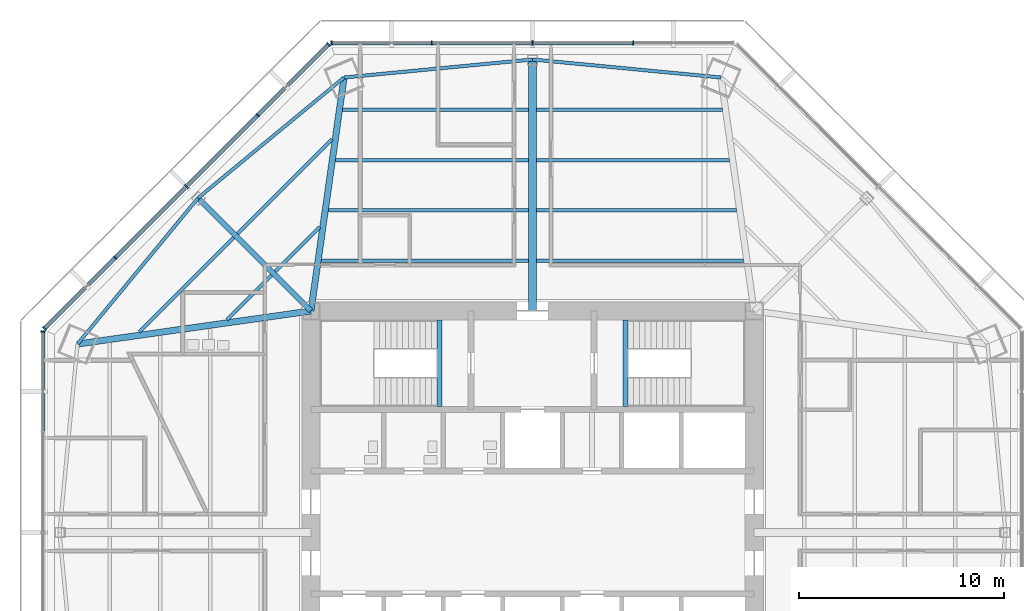
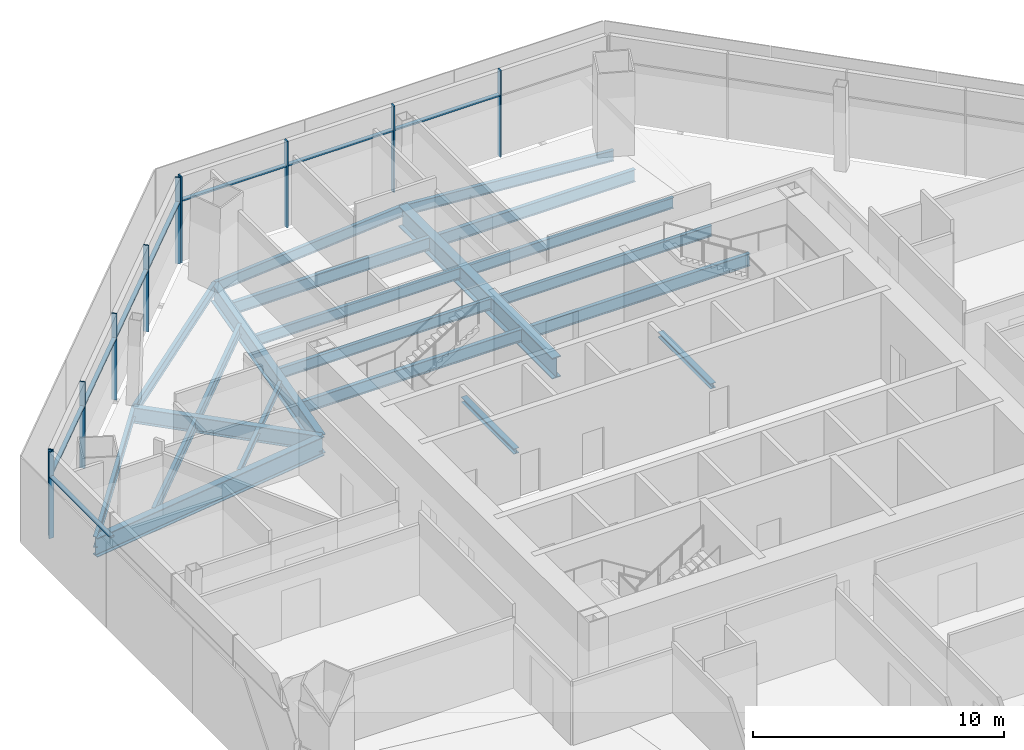
# One storey, part 5 of 14: 22 beams, 18 members, 3 elements without a shape of their own.
"""IFC4 building model written with IfcOpenShell, lengths in metres."""

from ifc_helpers import new_model, si_unit, direction, frame, origin, origin_2d, place, context, subcontext, project, spatial, rectangle, i_section, extrude, source, transform, mapped, material, material_profile, profile_set, type_object, type_shapes, element, aggregate, save


model = new_model("IFC4")

# Units and contexts
model_context = context("Model", 3, precision=1e-05, world=origin(), true_north=direction((0.0, 1.0)))
body_context = subcontext(model_context, "Body", "Model", "MODEL_VIEW")
ifc_project = project(units=[si_unit("LENGTHUNIT", "METRE"), si_unit("AREAUNIT", "SQUARE_METRE"), si_unit("VOLUMEUNIT", "CUBIC_METRE"), si_unit("PLANEANGLEUNIT", "RADIAN"), si_unit("MASSUNIT", "GRAM", prefix="KILO")], contexts=[model_context])

# Site, building, storey
site_placement = place(None, origin())
site = spatial("IfcSite", under=ifc_project, at=site_placement, CompositionType="ELEMENT")
building_placement = place(site_placement, origin())
building = spatial("IfcBuilding", under=site, at=building_placement, Name="Mashrafa Tower", CompositionType="ELEMENT")
storey_placement = place(building_placement, frame((0.0, 0.0, 147.0)))
storey = spatial("IfcBuildingStorey", under=building, at=storey_placement, Name="L33", CompositionType="ELEMENT", Elevation=147.0)

# Beams
ifc_material_1 = material(Name="Steel ASTM A992", Category="steel")
ifc_material_profile_1 = material_profile(ifc_material_1, i_section(OverallWidth=0.164794921875, OverallDepth=0.309814453125, WebThickness=0.005859375, FlangeThickness=0.009765625, FilletRadius=0.007568359375, at=origin_2d()), Name="W12X26")
ifc_profile_set_1 = profile_set([ifc_material_profile_1], Name="Steel ASTM A992")
beam_type_1 = type_object("IfcBeamType", Name="Beam W12X26", PredefinedType="BEAM", material=ifc_profile_set_1)
for number, where, z_axis, x_axis, name in (
    (1, (-14.895751953125, 10.375244140625, -0.31982421875), (0.707106781187, 0.707106781187, 0.0), (-0.707106781187, 0.707106781187, 0.0), "Floor beam L33 008"),
    (2, (-12.541259765625, 12.729736328125, -0.31982421875), (0.707106781187, 0.707106781187, 0.0), (-0.707106781187, 0.707106781187, 0.0), "Floor beam L33 014"),
):
    element("IfcBeam", number, at=place(storey_placement, frame(where, z_axis=z_axis, x_axis=x_axis)), inside=storey, type_object=beam_type_1, Name=name, PredefinedType="BEAM", context=body_context, shape_type="SweptSolid", body=[
        extrude(i_section(OverallWidth=0.164794921875, OverallDepth=0.309814453125, WebThickness=0.005859375, FlangeThickness=0.009765625, FilletRadius=0.007568359375, at=origin_2d()), origin(), (0.0, 0.0, 1.0), 3.063232421875),
    ])
ifc_material_2 = material(Name="Steel ASTM A992", Category="steel")
ifc_material_profile_2 = material_profile(ifc_material_2, i_section(OverallWidth=0.1650390625, OverallDepth=0.52587890625, WebThickness=0.0087890625, FlangeThickness=0.011474609375, FilletRadius=0.0126953125, at=origin_2d()), Name="W21X44")
ifc_profile_set_2 = profile_set([ifc_material_profile_2], Name="Steel ASTM A992")
beam_type_2 = type_object("IfcBeamType", Name="Beam W21X44", PredefinedType="BEAM", material=ifc_profile_set_2)
for number, where, z_axis, x_axis, name in (
    (3, (-19.17236328125, 9.769775390625, -0.427978515625), (0.707106781187, 0.707106781187, 0.0), (-0.707106781187, 0.707106781187, 0.0), "Floor beam L33 003"),
    (4, (-14.376708984375, 14.5654296875, -0.427978515625), (0.707106781187, 0.707106781187, 0.0), (-0.707106781187, 0.707106781187, 0.0), "Floor beam L33 010"),
):
    element("IfcBeam", number, at=place(storey_placement, frame(where, z_axis=z_axis, x_axis=x_axis)), inside=storey, type_object=beam_type_2, Name=name, PredefinedType="BEAM", context=body_context, shape_type="SweptSolid", body=[
        extrude(i_section(OverallWidth=0.1650390625, OverallDepth=0.52587890625, WebThickness=0.0087890625, FlangeThickness=0.011474609375, FilletRadius=0.0126953125, at=origin_2d()), origin(), (0.0, 0.0, 1.0), 6.51513671875),
    ])
beam_1_placement = place(storey_placement, frame((-9.950439453125, 15.704345703125, -0.427978515625), z_axis=(1.0, 0.0, 0.0), x_axis=(0.0, 1.0, 0.0)))
element("IfcBeam", 5, at=beam_1_placement, inside=storey, type_object=beam_type_2, Name="Floor beam L33 017", PredefinedType="BEAM", context=body_context, shape_type="SweptSolid", body=[
    extrude(i_section(OverallWidth=0.1650390625, OverallDepth=0.52587890625, WebThickness=0.0087890625, FlangeThickness=0.011474609375, FilletRadius=0.0126953125, at=origin_2d()), origin(), (0.0, 0.0, 1.0), 9.749755859375),
])
beam_2_placement = place(storey_placement, frame((-9.603271484375, 18.156494140625, -0.427978515625), z_axis=(1.0, 0.0, 0.0), x_axis=(0.0, 1.0, 0.0)))
element("IfcBeam", 6, at=beam_2_placement, inside=storey, type_object=beam_type_2, Name="Floor beam L33 018", PredefinedType="BEAM", context=body_context, shape_type="SweptSolid", body=[
    extrude(i_section(OverallWidth=0.1650390625, OverallDepth=0.52587890625, WebThickness=0.0087890625, FlangeThickness=0.011474609375, FilletRadius=0.0126953125, at=origin_2d()), origin(), (0.0, 0.0, 1.0), 9.402587890625),
])
beam_3_placement = place(storey_placement, frame((0.20068359375, 15.704345703125, -0.427978515625), z_axis=(1.0, 0.0, 0.0), x_axis=(0.0, 1.0, 0.0)))
element("IfcBeam", 7, at=beam_3_placement, inside=storey, type_object=beam_type_2, Name="Floor beam L33 026", PredefinedType="BEAM", context=body_context, shape_type="SweptSolid", body=[
    extrude(i_section(OverallWidth=0.1650390625, OverallDepth=0.52587890625, WebThickness=0.0087890625, FlangeThickness=0.011474609375, FilletRadius=0.0126953125, at=origin_2d()), origin(), (0.0, 0.0, 1.0), 9.749755859375),
])
beam_4_placement = place(storey_placement, frame((0.20068359375, 18.156494140625, -0.427978515625), z_axis=(1.0, 0.0, 0.0), x_axis=(0.0, 1.0, 0.0)))
element("IfcBeam", 8, at=beam_4_placement, inside=storey, type_object=beam_type_2, Name="Floor beam L33 027", PredefinedType="BEAM", context=body_context, shape_type="SweptSolid", body=[
    extrude(i_section(OverallWidth=0.1650390625, OverallDepth=0.52587890625, WebThickness=0.0087890625, FlangeThickness=0.011474609375, FilletRadius=0.0126953125, at=origin_2d()), origin(), (0.0, 0.0, 1.0), 9.402587890625),
])
for number, where, z_axis, x_axis, name in (
    (9, (-16.306640625, 16.306640625, -0.427978515625), (-0.636623717633, -0.771174586036, 0.0), (0.771174586036, -0.636623717633, 0.0), "Spandrel beam L33 069"),
    (10, (-9.1884765625, 22.182861328125, -0.427978515625), (-0.771174586036, -0.636623717633, 0.0), (0.636623717633, -0.771174586036, 0.0), "Spandrel beam L33 071"),
    (11, (0.0, 23.06103515625, -0.427978515625), (-0.995463915657, -0.095139858237, 0.0), (0.095139858237, -0.995463915657, 0.0), "Spandrel beam L33 073"),
    (12, (9.1884765625, 22.182861328125, -0.427978515625), (-0.995463915657, 0.095139858237, 0.0), (-0.095139858237, -0.995463915657, 0.0), "Spandrel beam L33 075"),
):
    element("IfcBeam", number, at=place(storey_placement, frame(where, z_axis=z_axis, x_axis=x_axis)), inside=storey, type_object=beam_type_2, Name=name, PredefinedType="BEAM", context=body_context, shape_type="SweptSolid", body=[
        extrude(i_section(OverallWidth=0.1650390625, OverallDepth=0.52587890625, WebThickness=0.0087890625, FlangeThickness=0.011474609375, FilletRadius=0.0126953125, at=origin_2d()), origin(), (0.0, 0.0, 1.0), 9.230224609375),
    ])
ifc_material_3 = material(Name="Steel ASTM A992", Category="steel")
ifc_material_profile_3 = material_profile(ifc_material_3, i_section(OverallWidth=0.177978515625, OverallDepth=0.599365234375, WebThickness=0.010009765625, FlangeThickness=0.012939453125, FilletRadius=0.012939453125, at=origin_2d()), Name="W24X55")
ifc_profile_set_3 = profile_set([ifc_material_profile_3], Name="Steel ASTM A992")
beam_type_3 = type_object("IfcBeamType", Name="Beam W24X55", PredefinedType="BEAM", material=ifc_profile_set_3)
beam_5_placement = place(storey_placement, frame((-10.297607421875, 13.252197265625, -0.464599609375), z_axis=(1.0, 0.0, 0.0), x_axis=(0.0, 1.0, 0.0)))
element("IfcBeam", 13, at=beam_5_placement, inside=storey, type_object=beam_type_3, Name="Floor beam L33 015", PredefinedType="BEAM", context=body_context, shape_type="SweptSolid", body=[
    extrude(i_section(OverallWidth=0.177978515625, OverallDepth=0.599365234375, WebThickness=0.010009765625, FlangeThickness=0.012939453125, FilletRadius=0.012939453125, at=origin_2d()), origin(), (0.0, 0.0, 1.0), 10.096923828125),
])
beam_6_placement = place(storey_placement, frame((-9.256103515625, 20.60888671875, -0.464599609375), z_axis=(1.0, 0.0, 0.0), x_axis=(0.0, 1.0, 0.0)))
element("IfcBeam", 14, at=beam_6_placement, inside=storey, type_object=beam_type_3, Name="Floor beam L33 020", PredefinedType="BEAM", context=body_context, shape_type="SweptSolid", body=[
    extrude(i_section(OverallWidth=0.177978515625, OverallDepth=0.599365234375, WebThickness=0.010009765625, FlangeThickness=0.012939453125, FilletRadius=0.012939453125, at=origin_2d()), origin(), (0.0, 0.0, 1.0), 9.055419921875),
])
beam_7_placement = place(storey_placement, frame((0.20068359375, 13.252197265625, -0.464599609375), z_axis=(1.0, 0.0, 0.0), x_axis=(0.0, 1.0, 0.0)))
element("IfcBeam", 15, at=beam_7_placement, inside=storey, type_object=beam_type_3, Name="Floor beam L33 025", PredefinedType="BEAM", context=body_context, shape_type="SweptSolid", body=[
    extrude(i_section(OverallWidth=0.177978515625, OverallDepth=0.599365234375, WebThickness=0.010009765625, FlangeThickness=0.012939453125, FilletRadius=0.012939453125, at=origin_2d()), origin(), (0.0, 0.0, 1.0), 10.096923828125),
])
beam_8_placement = place(storey_placement, frame((0.20068359375, 20.60888671875, -0.464599609375), z_axis=(1.0, 0.0, 0.0), x_axis=(0.0, 1.0, 0.0)))
element("IfcBeam", 16, at=beam_8_placement, inside=storey, type_object=beam_type_3, Name="Floor beam L33 028", PredefinedType="BEAM", context=body_context, shape_type="SweptSolid", body=[
    extrude(i_section(OverallWidth=0.177978515625, OverallDepth=0.599365234375, WebThickness=0.010009765625, FlangeThickness=0.012939453125, FilletRadius=0.012939453125, at=origin_2d()), origin(), (0.0, 0.0, 1.0), 9.055419921875),
])
ifc_material_4 = material(Name="Steel ASTM A992", Category="steel")
ifc_material_profile_4 = material_profile(ifc_material_4, i_section(OverallWidth=0.2666015625, OverallDepth=0.761962890625, WebThickness=0.014404296875, FlangeThickness=0.021484375, FilletRadius=0.0166015625, at=origin_2d()), Name="W30X116")
ifc_profile_set_4 = profile_set([ifc_material_profile_4], Name="Steel ASTM A992")
beam_type_4 = type_object("IfcBeamType", Name="Beam W30X116", PredefinedType="BEAM", material=ifc_profile_set_4)
beam_9_placement = place(storey_placement, frame((-10.800048828125, 10.800048828125, -0.5458984375), z_axis=(-0.707106781187, 0.707106781187, 0.0), x_axis=(-0.707106781187, -0.707106781187, 0.0)))
element("IfcBeam", 17, at=beam_9_placement, inside=storey, type_object=beam_type_4, Name="Radial girder L33 054", PredefinedType="BEAM", context=body_context, shape_type="SweptSolid", body=[
    extrude(i_section(OverallWidth=0.2666015625, OverallDepth=0.761962890625, WebThickness=0.014404296875, FlangeThickness=0.021484375, FilletRadius=0.0166015625, at=origin_2d()), origin(), (0.0, 0.0, 1.0), 7.78759765625),
])
ifc_material_5 = material(Name="Steel ASTM A992", Category="steel")
ifc_material_profile_5 = material_profile(ifc_material_5, i_section(OverallWidth=0.307373046875, OverallDepth=0.927001953125, WebThickness=0.01953125, FlangeThickness=0.031982421875, FilletRadius=0.01904296875, at=origin_2d()), Name="W36X194")
ifc_profile_set_5 = profile_set([ifc_material_profile_5], Name="Steel ASTM A992")
beam_type_5 = type_object("IfcBeamType", Name="Beam W36X194", PredefinedType="BEAM", material=ifc_profile_set_5)
for number, where, z_axis, x_axis, name in (
    (18, (-10.800048828125, 10.800048828125, -0.628662109375), (-0.990125828891, -0.140181464407, 0.0), (0.140181464407, -0.990125828891, 0.0), "Radial girder L33 053"),
    (19, (-10.800048828125, 10.800048828125, -0.628662109375), (0.140181464407, 0.990125828891, 0.0), (-0.990125828891, 0.140181464407, 0.0), "Radial girder L33 055"),
):
    element("IfcBeam", number, at=place(storey_placement, frame(where, z_axis=z_axis, x_axis=x_axis)), inside=storey, type_object=beam_type_5, Name=name, PredefinedType="BEAM", context=body_context, shape_type="SweptSolid", body=[
        extrude(i_section(OverallWidth=0.307373046875, OverallDepth=0.927001953125, WebThickness=0.01953125, FlangeThickness=0.031982421875, FilletRadius=0.01904296875, at=origin_2d()), origin(), (0.0, 0.0, 1.0), 11.496337890625),
    ])
ifc_material_6 = material(Name="Steel ASTM A992", Category="steel")
ifc_material_profile_6 = material_profile(ifc_material_6, i_section(OverallWidth=0.4013671875, OverallDepth=1.010986328125, WebThickness=0.023681640625, FlangeThickness=0.0419921875, FilletRadius=0.02001953125, at=origin_2d()), Name="W40X297")
ifc_profile_set_6 = profile_set([ifc_material_profile_6], Name="Steel ASTM A992")
beam_type_6 = type_object("IfcBeamType", Name="Beam W40X297", PredefinedType="BEAM", material=ifc_profile_set_6)
beam_10_placement = place(storey_placement, frame((0.0, 10.800048828125, -0.67041015625), z_axis=(0.0, 1.0, 0.0), x_axis=(-1.0, 0.0, 0.0)))
element("IfcBeam", 20, at=beam_10_placement, inside=storey, type_object=beam_type_6, Name="Radial girder L33 057", PredefinedType="BEAM", context=body_context, shape_type="SweptSolid", body=[
    extrude(i_section(OverallWidth=0.4013671875, OverallDepth=1.010986328125, WebThickness=0.023681640625, FlangeThickness=0.0419921875, FilletRadius=0.02001953125, at=origin_2d()), origin(), (0.0, 0.0, 1.0), 12.260986328125),
])
ifc_material_7 = material(Name="Steel ASTM A992", Category="steel")
ifc_material_profile_7 = material_profile(ifc_material_7, i_section(OverallWidth=0.25390625, OverallDepth=0.25390625, WebThickness=0.008544921875, FlangeThickness=0.01416015625, FilletRadius=0.010009765625, at=origin_2d()), Name="W10X49")
ifc_profile_set_7 = profile_set([ifc_material_profile_7], Name="Steel ASTM A992")
beam_type_7 = type_object("IfcBeamType", Name="Hoistway beam W10X49", PredefinedType="BEAM", material=ifc_profile_set_7)
for number, where, z_axis, x_axis, name in (
    (21, (-4.530029296875, 6.14990234375, -0.326904296875), (0.0, 1.0, 0.0), (-1.0, 0.0, 0.0), "Stair S1 landing beam L33"),
    (22, (4.530029296875, 6.14990234375, -0.326904296875), (0.0, 1.0, 0.0), (-1.0, 0.0, 0.0), "Stair S2 landing beam L33"),
):
    element("IfcBeam", number, at=place(storey_placement, frame(where, z_axis=z_axis, x_axis=x_axis)), inside=storey, type_object=beam_type_7, Name=name, PredefinedType="BEAM", context=body_context, shape_type="SweptSolid", body=[
        extrude(i_section(OverallWidth=0.25390625, OverallDepth=0.25390625, WebThickness=0.008544921875, FlangeThickness=0.01416015625, FilletRadius=0.010009765625, at=origin_2d()), origin(), (0.0, 0.0, 1.0), 4.2001953125),
    ])

# Curtain wall, members
ifc_material_8 = material(Name="Unitised aluminium curtain wall", Category="aluminium")
curtain_wall_type = type_object("IfcCurtainWallType", Name="Office curtain wall, zone 2 CW-B 225 deep", PredefinedType="NOTDEFINED", material=ifc_material_8)
curtain_wall_1_placement = place(storey_placement, origin())
curtain_wall_1 = element("IfcCurtainWall", 23, at=curtain_wall_1_placement, inside=storey, type_object=curtain_wall_type, Name="Office curtain wall, zone 2 L33 north", PredefinedType="NOTDEFINED")
ifc_material_9 = material(Name="Extruded aluminium mullion", Category="aluminium")
ifc_material_profile_8 = material_profile(ifc_material_9, rectangle(XDim=0.22509765625, YDim=0.06494140625, at=origin_2d()), Name="Mullion 65x225")
ifc_profile_set_8 = profile_set([ifc_material_profile_8], Name="Extruded aluminium mullion")
member_type_1 = type_object("IfcMemberType", Name="Mullion CW-B 65 x 225", PredefinedType="MULLION", material=ifc_profile_set_8)
shared_shape_1 = source(origin(), body_context, "Body", "SweptSolid", [
    extrude(rectangle(XDim=0.22509765625, YDim=0.06494140625, at=origin_2d()), origin(), (0.0, 0.0, 1.0), 4.199951171875),
])
type_shapes(member_type_1, [shared_shape_1])
member_1_placement = place(storey_placement, frame((4.91259765625, 23.856201171875, 0.0), z_axis=(0.0, 0.0, 1.0), x_axis=(0.0, -1.0, 0.0)))
member_1 = element("IfcMember", 24, at=member_1_placement, type_object=member_type_1, Name="CW-B mullion 2", PredefinedType="MULLION", context=body_context, shape_type="MappedRepresentation", body=[
    mapped(shared_shape_1, transform((0.0, 0.0, 0.0))),
])
member_2_placement = place(storey_placement, frame((0.0, 23.856201171875, 0.0), z_axis=(0.0, 0.0, 1.0), x_axis=(0.0, -1.0, 0.0)))
member_2 = element("IfcMember", 25, at=member_2_placement, type_object=member_type_1, Name="CW-B mullion 3", PredefinedType="MULLION", context=body_context, shape_type="MappedRepresentation", body=[
    mapped(shared_shape_1, transform((0.0, 0.0, 0.0))),
])
member_3_placement = place(storey_placement, frame((-4.91259765625, 23.856201171875, 0.0), z_axis=(0.0, 0.0, 1.0), x_axis=(0.0, -1.0, 0.0)))
member_3 = element("IfcMember", 26, at=member_3_placement, type_object=member_type_1, Name="CW-B mullion 4", PredefinedType="MULLION", context=body_context, shape_type="MappedRepresentation", body=[
    mapped(shared_shape_1, transform((0.0, 0.0, 0.0))),
])
member_4_placement = place(storey_placement, frame((-9.79248046875, 23.856201171875, 0.0), z_axis=(0.0, 0.0, 1.0), x_axis=(0.0, -1.0, 0.0)))
member_4 = element("IfcMember", 27, at=member_4_placement, type_object=member_type_1, Name="CW-B mullion 5", PredefinedType="MULLION", context=body_context, shape_type="MappedRepresentation", body=[
    mapped(shared_shape_1, transform((0.0, 0.0, 0.0))),
])

curtain_wall_2_placement = place(storey_placement, origin())
curtain_wall_2 = element("IfcCurtainWall", 28, at=curtain_wall_2_placement, inside=storey, type_object=curtain_wall_type, Name="Office curtain wall, zone 2 L33 north-west", PredefinedType="NOTDEFINED")
member_5_placement = place(storey_placement, frame((-9.944580078125, 23.793212890625, 0.0), z_axis=(0.0, 0.0, 1.0), x_axis=(0.707106781187, -0.707106781187, 0.0)))
member_5 = element("IfcMember", 29, at=member_5_placement, type_object=member_type_1, Name="CW-B mullion 1", PredefinedType="MULLION", context=body_context, shape_type="MappedRepresentation", body=[
    mapped(shared_shape_1, transform((0.0, 0.0, 0.0))),
])
member_6_placement = place(storey_placement, frame((-13.395263671875, 20.342529296875, 0.0), z_axis=(0.0, 0.0, 1.0), x_axis=(0.707106781187, -0.707106781187, 0.0)))
member_6 = element("IfcMember", 30, at=member_6_placement, type_object=member_type_1, Name="CW-B mullion 2", PredefinedType="MULLION", context=body_context, shape_type="MappedRepresentation", body=[
    mapped(shared_shape_1, transform((0.0, 0.0, 0.0))),
])
member_7_placement = place(storey_placement, frame((-16.868896484375, 16.868896484375, 0.0), z_axis=(0.0, 0.0, 1.0), x_axis=(0.707106781187, -0.707106781187, 0.0)))
member_7 = element("IfcMember", 31, at=member_7_placement, type_object=member_type_1, Name="CW-B mullion 3", PredefinedType="MULLION", context=body_context, shape_type="MappedRepresentation", body=[
    mapped(shared_shape_1, transform((0.0, 0.0, 0.0))),
])
member_8_placement = place(storey_placement, frame((-20.342529296875, 13.395263671875, 0.0), z_axis=(0.0, 0.0, 1.0), x_axis=(0.707106781187, -0.707106781187, 0.0)))
member_8 = element("IfcMember", 32, at=member_8_placement, type_object=member_type_1, Name="CW-B mullion 4", PredefinedType="MULLION", context=body_context, shape_type="MappedRepresentation", body=[
    mapped(shared_shape_1, transform((0.0, 0.0, 0.0))),
])
member_9_placement = place(storey_placement, frame((-23.793212890625, 9.944580078125, 0.0), z_axis=(0.0, 0.0, 1.0), x_axis=(0.707106781187, -0.707106781187, 0.0)))
member_9 = element("IfcMember", 33, at=member_9_placement, type_object=member_type_1, Name="CW-B mullion 5", PredefinedType="MULLION", context=body_context, shape_type="MappedRepresentation", body=[
    mapped(shared_shape_1, transform((0.0, 0.0, 0.0))),
])

# Curtain wall, member
curtain_wall_3_placement = place(storey_placement, origin())
curtain_wall_3 = element("IfcCurtainWall", 34, at=curtain_wall_3_placement, inside=storey, type_object=curtain_wall_type, Name="Office curtain wall, zone 2 L33 west", PredefinedType="NOTDEFINED")
member_10_placement = place(storey_placement, frame((-23.856201171875, 9.79248046875, 0.0), z_axis=(0.0, 0.0, 1.0), x_axis=(1.0, 0.0, 0.0)))
member_10 = element("IfcMember", 35, at=member_10_placement, type_object=member_type_1, Name="CW-B mullion 1", PredefinedType="MULLION", context=body_context, shape_type="MappedRepresentation", body=[
    mapped(shared_shape_1, transform((0.0, 0.0, 0.0))),
])

# Member
ifc_material_10 = material(Name="Extruded aluminium transom", Category="aluminium")
ifc_material_profile_9 = material_profile(ifc_material_10, rectangle(XDim=0.179931640625, YDim=0.080078125, at=origin_2d()), Name="Transom 80x180")
ifc_profile_set_9 = profile_set([ifc_material_profile_9], Name="Extruded aluminium transom")
member_type_2 = type_object("IfcMemberType", Name="Transom CW-B 80 x 180", PredefinedType="MULLION", material=ifc_profile_set_9)
shared_shape_2 = source(origin(), body_context, "Body", "SweptSolid", [
    extrude(rectangle(XDim=0.179931640625, YDim=0.080078125, at=origin_2d()), origin(), (0.0, 0.0, 1.0), 4.81494140625),
])
member_11_placement = place(storey_placement, frame((-4.945068359375, 23.856201171875, 3.0), z_axis=(-1.0, 0.0, 0.0), x_axis=(0.0, -1.0, 0.0)))
member_11 = element("IfcMember", 36, at=member_11_placement, type_object=member_type_2, Name="CW-B transom 4", PredefinedType="MULLION", context=body_context, shape_type="MappedRepresentation", body=[
    mapped(shared_shape_2, transform((0.0, 0.0, 0.0))),
])

member_12_placement = place(storey_placement, frame((-23.856201171875, 9.760009765625, 3.0), z_axis=(0.0, -1.0, 0.0), x_axis=(1.0, 0.0, 0.0)))
member_12 = element("IfcMember", 37, at=member_12_placement, type_object=member_type_2, Name="CW-B transom 1", PredefinedType="MULLION", context=body_context, shape_type="MappedRepresentation", body=[
    mapped(shared_shape_2, transform((0.0, 0.0, 0.0))),
])

aggregate(curtain_wall_3, [member_10, member_12])

shared_shape_3 = source(origin(), body_context, "Body", "SweptSolid", [
    extrude(rectangle(XDim=0.179931640625, YDim=0.080078125, at=origin_2d()), origin(), (0.0, 0.0, 1.0), 4.847412109375),
])
member_13_placement = place(storey_placement, frame((4.8798828125, 23.856201171875, 3.0), z_axis=(-1.0, 0.0, 0.0), x_axis=(0.0, -1.0, 0.0)))
member_13 = element("IfcMember", 38, at=member_13_placement, type_object=member_type_2, Name="CW-B transom 2", PredefinedType="MULLION", context=body_context, shape_type="MappedRepresentation", body=[
    mapped(shared_shape_3, transform((0.0, 0.0, 0.0))),
])

member_14_placement = place(storey_placement, frame((-0.032470703125, 23.856201171875, 3.0), z_axis=(-1.0, 0.0, 0.0), x_axis=(0.0, -1.0, 0.0)))
member_14 = element("IfcMember", 39, at=member_14_placement, type_object=member_type_2, Name="CW-B transom 3", PredefinedType="MULLION", context=body_context, shape_type="MappedRepresentation", body=[
    mapped(shared_shape_3, transform((0.0, 0.0, 0.0))),
])

aggregate(curtain_wall_1, [member_1, member_2, member_3, member_4, member_13, member_14, member_11])

shared_shape_4 = source(origin(), body_context, "Body", "SweptSolid", [
    extrude(rectangle(XDim=0.179931640625, YDim=0.080078125, at=origin_2d()), origin(), (0.0, 0.0, 1.0), 4.815185546875),
])
member_15_placement = place(storey_placement, frame((-9.967529296875, 23.770263671875, 3.0), z_axis=(-0.707106781187, -0.707106781187, 0.0), x_axis=(0.707106781187, -0.707106781187, 0.0)))
member_15 = element("IfcMember", 40, at=member_15_placement, type_object=member_type_2, Name="CW-B transom 1", PredefinedType="MULLION", context=body_context, shape_type="MappedRepresentation", body=[
    mapped(shared_shape_4, transform((0.0, 0.0, 0.0))),
])

member_16_placement = place(storey_placement, frame((-20.365478515625, 13.372314453125, 3.0), z_axis=(-0.707106781187, -0.707106781187, 0.0), x_axis=(0.707106781187, -0.707106781187, 0.0)))
member_16 = element("IfcMember", 41, at=member_16_placement, type_object=member_type_2, Name="CW-B transom 4", PredefinedType="MULLION", context=body_context, shape_type="MappedRepresentation", body=[
    mapped(shared_shape_4, transform((0.0, 0.0, 0.0))),
])

shared_shape_5 = source(origin(), body_context, "Body", "SweptSolid", [
    extrude(rectangle(XDim=0.179931640625, YDim=0.080078125, at=origin_2d()), origin(), (0.0, 0.0, 1.0), 4.84765625),
])
type_shapes(member_type_2, [shared_shape_2, shared_shape_3, shared_shape_4, shared_shape_5])
member_17_placement = place(storey_placement, frame((-13.418212890625, 20.319580078125, 3.0), z_axis=(-0.707106781187, -0.707106781187, 0.0), x_axis=(0.707106781187, -0.707106781187, 0.0)))
member_17 = element("IfcMember", 42, at=member_17_placement, type_object=member_type_2, Name="CW-B transom 2", PredefinedType="MULLION", context=body_context, shape_type="MappedRepresentation", body=[
    mapped(shared_shape_5, transform((0.0, 0.0, 0.0))),
])

member_18_placement = place(storey_placement, frame((-16.891845703125, 16.845947265625, 3.0), z_axis=(-0.707106781187, -0.707106781187, 0.0), x_axis=(0.707106781187, -0.707106781187, 0.0)))
member_18 = element("IfcMember", 43, at=member_18_placement, type_object=member_type_2, Name="CW-B transom 3", PredefinedType="MULLION", context=body_context, shape_type="MappedRepresentation", body=[
    mapped(shared_shape_5, transform((0.0, 0.0, 0.0))),
])

aggregate(curtain_wall_2, [member_5, member_6, member_7, member_8, member_9, member_15, member_17, member_18, member_16])

save(model, "model.ifc")
